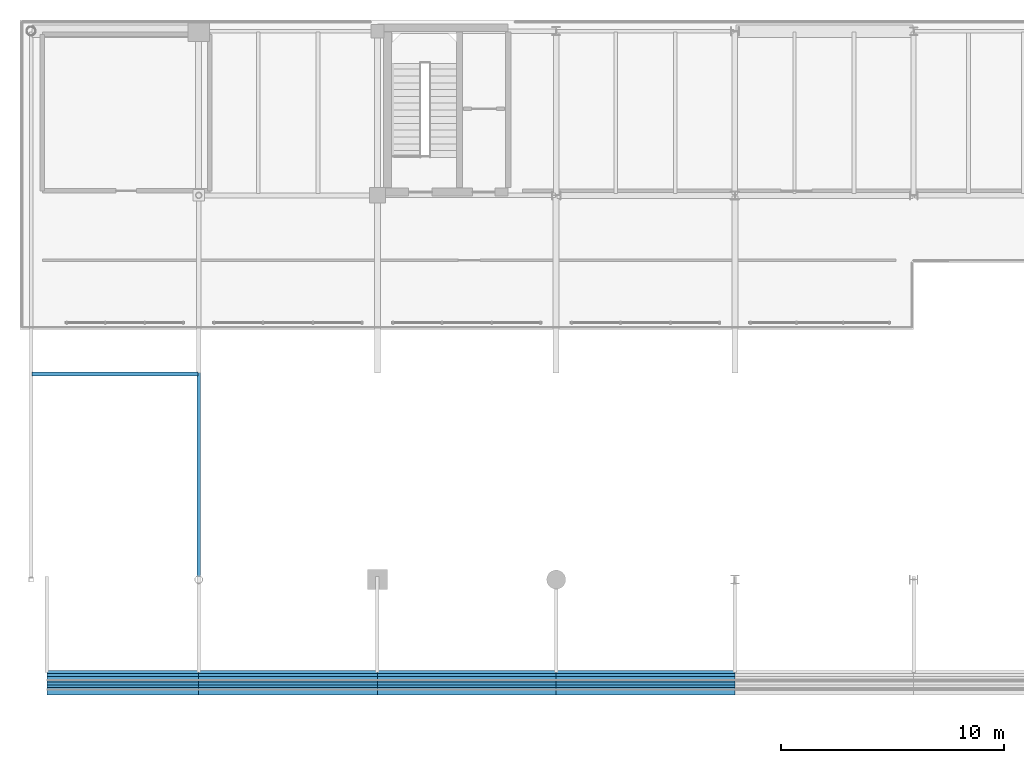
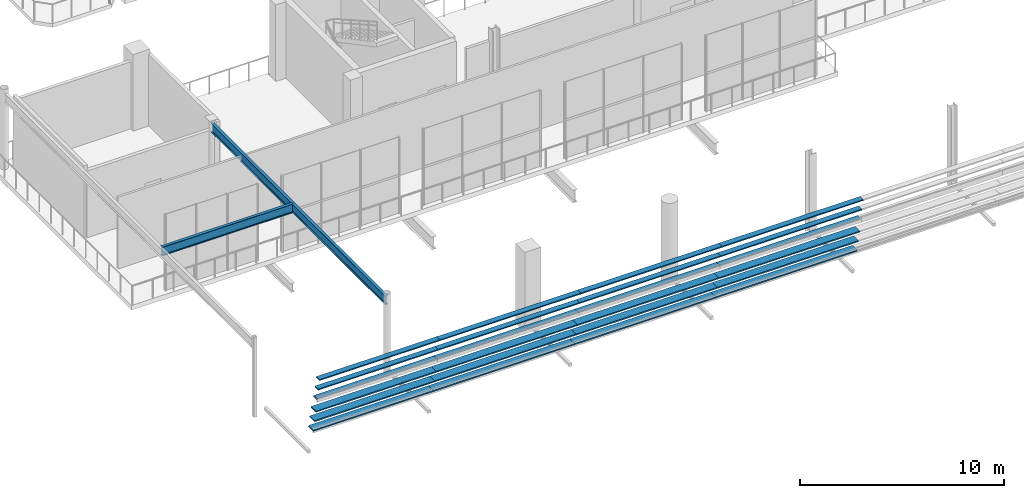
# One storey, part 20 of 70: 24 members, 2 beams.
"""IFC4 building model written with IfcOpenShell, lengths in metres."""

from ifc_helpers import new_model, si_unit, direction, frame, origin, origin_2d, place, context, subcontext, project, spatial, rectangle, i_section, extrude, material, material_profile, profile_set, type_object, element, save


model = new_model("IFC4")

# Units and contexts
model_context = context("Model", 3, precision=1e-05, world=origin(), true_north=direction((0.0, 1.0)))
body_context = subcontext(model_context, "Body", "Model", "MODEL_VIEW")
ifc_project = project(units=[si_unit("LENGTHUNIT", "METRE"), si_unit("AREAUNIT", "SQUARE_METRE"), si_unit("VOLUMEUNIT", "CUBIC_METRE"), si_unit("PLANEANGLEUNIT", "RADIAN"), si_unit("MASSUNIT", "GRAM", prefix="KILO")], contexts=[model_context])

# Site, building, storey
site_placement = place(None, origin())
site = spatial("IfcSite", under=ifc_project, at=site_placement, CompositionType="ELEMENT")
building_placement = place(site_placement, origin())
building = spatial("IfcBuilding", under=site, at=building_placement, Name="Brisemont Oceanarium", CompositionType="ELEMENT")
storey_placement = place(building_placement, frame((0.0, 0.0, 10.199951171875)))
storey = spatial("IfcBuildingStorey", under=building, at=storey_placement, Name="L02", CompositionType="ELEMENT", Elevation=10.199951171875)

# Beams
ifc_material_1 = material(Name="Structural Steel ASTM A992 Gr.50", Category="steel")
ifc_material_profile_1 = material_profile(ifc_material_1, i_section(OverallWidth=0.166015625, OverallDepth=0.528076171875, WebThickness=0.009765625, FlangeThickness=0.013671875, FilletRadius=0.012939453125, at=origin_2d()), Name="W21X50")
ifc_profile_set_1 = profile_set([ifc_material_profile_1], Name="Structural Steel ASTM A992 Gr.50")
beam_type = type_object("IfcBeamType", Name="BM-W21X50", PredefinedType="SPANDREL", material=ifc_profile_set_1)
beam_1_placement = place(storey_placement, frame((16.0, 6.840087890625, 4.296142578125), z_axis=(0.0, 1.0, 0.0), x_axis=(-1.0, 0.0, 0.0)))
element("IfcBeam", 1, at=beam_1_placement, inside=storey, type_object=beam_type, Name="Skylight roof support girder 2", PredefinedType="SPANDREL", context=body_context, shape_type="SweptSolid", body=[
    extrude(i_section(OverallWidth=0.166015625, OverallDepth=0.528076171875, WebThickness=0.009765625, FlangeThickness=0.013671875, FilletRadius=0.012939453125, at=origin_2d()), origin(), (0.0, 0.0, 1.0), 17.119873046875),
])
beam_2_placement = place(storey_placement, frame((8.5400390625, 16.0, 4.296142578125), z_axis=(1.0, 0.0, 0.0), x_axis=(0.0, 1.0, 0.0)))
element("IfcBeam", 2, at=beam_2_placement, inside=storey, type_object=beam_type, Name="Skylight roof support girder 3", PredefinedType="SPANDREL", context=body_context, shape_type="SweptSolid", body=[
    extrude(i_section(OverallWidth=0.166015625, OverallDepth=0.528076171875, WebThickness=0.009765625, FlangeThickness=0.013671875, FilletRadius=0.012939453125, at=origin_2d()), origin(), (0.0, 0.0, 1.0), 7.419921875),
])

# Members
ifc_material_2 = material(Name="Architectural Bronze-Anodized Cedar Composite")
ifc_material_profile_2 = material_profile(ifc_material_2, rectangle(XDim=0.320068359375, YDim=0.06494140625, at=origin_2d()), Name="LOUVRE-320X65")
ifc_profile_set_2 = profile_set([ifc_material_profile_2], Name="Architectural Bronze-Anodized Cedar Composite")
member_type_1 = type_object("IfcMemberType", Name="MEM-LV-320", PredefinedType="USERDEFINED", material=ifc_profile_set_2)
for number, where, z_axis, x_axis, name in (
    (3, (9.199951171875, 2.064697265625, 3.72998046875), (1.0, 0.0, 0.0), (0.0, 1.0, 0.0), "V2 stepped horizontal louvre blade T5.1.1"),
    (4, (9.199951171875, 1.932373046875, 4.380126953125), (1.0, 0.0, 0.0), (0.0, 1.0, 0.0), "V2 stepped horizontal louvre blade T5.1.2"),
    (5, (9.199951171875, 1.800048828125, 5.030029296875), (1.0, 0.0, 0.0), (0.0, 1.0, 0.0), "V2 stepped horizontal louvre blade T5.1.3"),
):
    element("IfcMember", number, at=place(storey_placement, frame(where, z_axis=z_axis, x_axis=x_axis)), inside=storey, type_object=member_type_1, Name=name, ObjectType="LOUVRE_BLADE", PredefinedType="USERDEFINED", context=body_context, shape_type="SweptSolid", body=[
        extrude(rectangle(XDim=0.320068359375, YDim=0.06494140625, at=origin_2d()), origin(), (0.0, 0.0, 1.0), 6.800048828125),
    ])
for number, where, z_axis, x_axis, name in (
    (6, (16.0, 2.064697265625, 3.72998046875), (1.0, 0.0, 0.0), (0.0, 1.0, 0.0), "V2 stepped horizontal louvre blade T5.2.1"),
    (7, (16.0, 1.932373046875, 4.380126953125), (1.0, 0.0, 0.0), (0.0, 1.0, 0.0), "V2 stepped horizontal louvre blade T5.2.2"),
    (8, (16.0, 1.800048828125, 5.030029296875), (1.0, 0.0, 0.0), (0.0, 1.0, 0.0), "V2 stepped horizontal louvre blade T5.2.3"),
    (9, (24.0, 2.064697265625, 3.72998046875), (1.0, 0.0, 0.0), (0.0, 1.0, 0.0), "V2 stepped horizontal louvre blade T5.3.1"),
    (10, (24.0, 1.932373046875, 4.380126953125), (1.0, 0.0, 0.0), (0.0, 1.0, 0.0), "V2 stepped horizontal louvre blade T5.3.2"),
    (11, (24.0, 1.800048828125, 5.030029296875), (1.0, 0.0, 0.0), (0.0, 1.0, 0.0), "V2 stepped horizontal louvre blade T5.3.3"),
    (12, (32.0, 2.064697265625, 3.72998046875), (1.0, 0.0, 0.0), (0.0, 1.0, 0.0), "V2 stepped horizontal louvre blade T5.4.1"),
    (13, (32.0, 1.932373046875, 4.380126953125), (1.0, 0.0, 0.0), (0.0, 1.0, 0.0), "V2 stepped horizontal louvre blade T5.4.2"),
    (14, (32.0, 1.800048828125, 5.030029296875), (1.0, 0.0, 0.0), (0.0, 1.0, 0.0), "V2 stepped horizontal louvre blade T5.4.3"),
):
    element("IfcMember", number, at=place(storey_placement, frame(where, z_axis=z_axis, x_axis=x_axis)), inside=storey, type_object=member_type_1, Name=name, ObjectType="LOUVRE_BLADE", PredefinedType="USERDEFINED", context=body_context, shape_type="SweptSolid", body=[
        extrude(rectangle(XDim=0.320068359375, YDim=0.06494140625, at=origin_2d()), origin(), (0.0, 0.0, 1.0), 8.0),
    ])
ifc_material_3 = material(Name="Architectural Bronze-Anodized Cedar Composite")
ifc_material_profile_3 = material_profile(ifc_material_3, rectangle(XDim=0.47998046875, YDim=0.074951171875, at=origin_2d()), Name="LOUVRE-480X75")
ifc_profile_set_3 = profile_set([ifc_material_profile_3], Name="Architectural Bronze-Anodized Cedar Composite")
member_type_2 = type_object("IfcMemberType", Name="MEM-LV-480", PredefinedType="USERDEFINED", material=ifc_profile_set_3)
for number, where, z_axis, x_axis, name in (
    (15, (9.199951171875, 2.49169921875, 1.630126953125), (1.0, 0.0, 0.0), (0.0, 1.0, 0.0), "V2 stepped horizontal louvre blade T4.1.1"),
    (16, (9.199951171875, 2.359619140625, 2.280029296875), (1.0, 0.0, 0.0), (0.0, 1.0, 0.0), "V2 stepped horizontal louvre blade T4.1.2"),
    (17, (9.199951171875, 2.227294921875, 2.929931640625), (1.0, 0.0, 0.0), (0.0, 1.0, 0.0), "V2 stepped horizontal louvre blade T4.1.3"),
):
    element("IfcMember", number, at=place(storey_placement, frame(where, z_axis=z_axis, x_axis=x_axis)), inside=storey, type_object=member_type_2, Name=name, ObjectType="LOUVRE_BLADE", PredefinedType="USERDEFINED", context=body_context, shape_type="SweptSolid", body=[
        extrude(rectangle(XDim=0.47998046875, YDim=0.074951171875, at=origin_2d()), origin(), (0.0, 0.0, 1.0), 6.800048828125),
    ])
for number, where, z_axis, x_axis, name in (
    (18, (16.0, 2.49169921875, 1.630126953125), (1.0, 0.0, 0.0), (0.0, 1.0, 0.0), "V2 stepped horizontal louvre blade T4.2.1"),
    (19, (16.0, 2.359619140625, 2.280029296875), (1.0, 0.0, 0.0), (0.0, 1.0, 0.0), "V2 stepped horizontal louvre blade T4.2.2"),
    (20, (16.0, 2.227294921875, 2.929931640625), (1.0, 0.0, 0.0), (0.0, 1.0, 0.0), "V2 stepped horizontal louvre blade T4.2.3"),
    (21, (24.0, 2.49169921875, 1.630126953125), (1.0, 0.0, 0.0), (0.0, 1.0, 0.0), "V2 stepped horizontal louvre blade T4.3.1"),
    (22, (24.0, 2.359619140625, 2.280029296875), (1.0, 0.0, 0.0), (0.0, 1.0, 0.0), "V2 stepped horizontal louvre blade T4.3.2"),
    (23, (24.0, 2.227294921875, 2.929931640625), (1.0, 0.0, 0.0), (0.0, 1.0, 0.0), "V2 stepped horizontal louvre blade T4.3.3"),
    (24, (32.0, 2.49169921875, 1.630126953125), (1.0, 0.0, 0.0), (0.0, 1.0, 0.0), "V2 stepped horizontal louvre blade T4.4.1"),
    (25, (32.0, 2.359619140625, 2.280029296875), (1.0, 0.0, 0.0), (0.0, 1.0, 0.0), "V2 stepped horizontal louvre blade T4.4.2"),
    (26, (32.0, 2.227294921875, 2.929931640625), (1.0, 0.0, 0.0), (0.0, 1.0, 0.0), "V2 stepped horizontal louvre blade T4.4.3"),
):
    element("IfcMember", number, at=place(storey_placement, frame(where, z_axis=z_axis, x_axis=x_axis)), inside=storey, type_object=member_type_2, Name=name, ObjectType="LOUVRE_BLADE", PredefinedType="USERDEFINED", context=body_context, shape_type="SweptSolid", body=[
        extrude(rectangle(XDim=0.47998046875, YDim=0.074951171875, at=origin_2d()), origin(), (0.0, 0.0, 1.0), 8.0),
    ])

save(model, "model.ifc")
